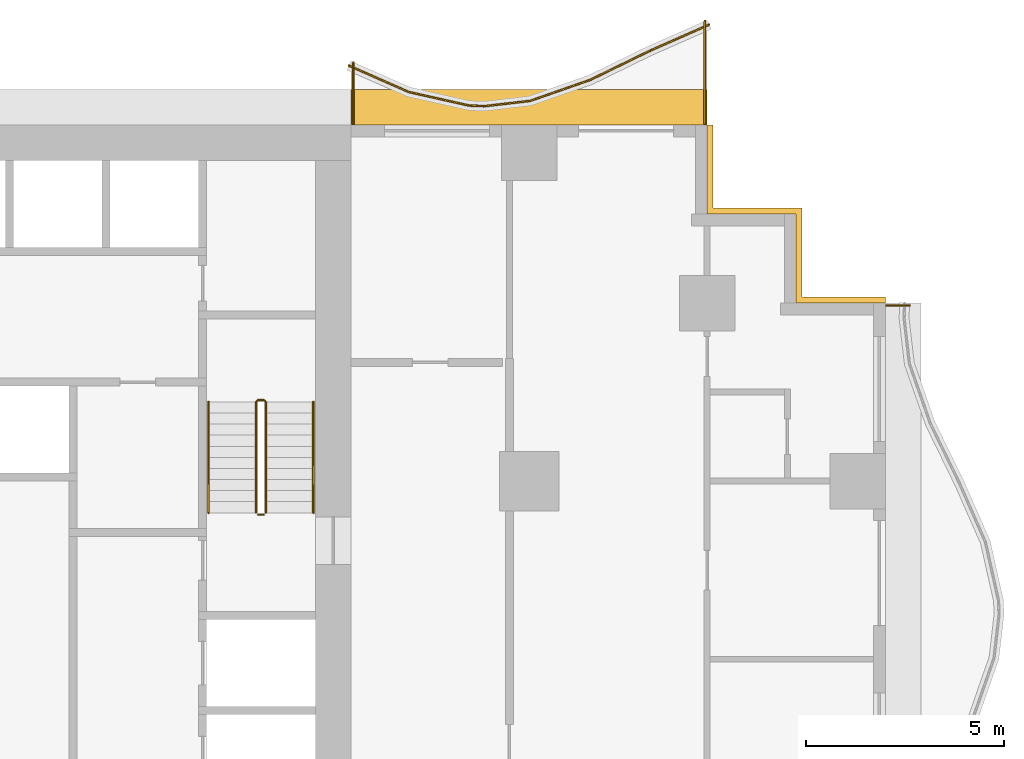
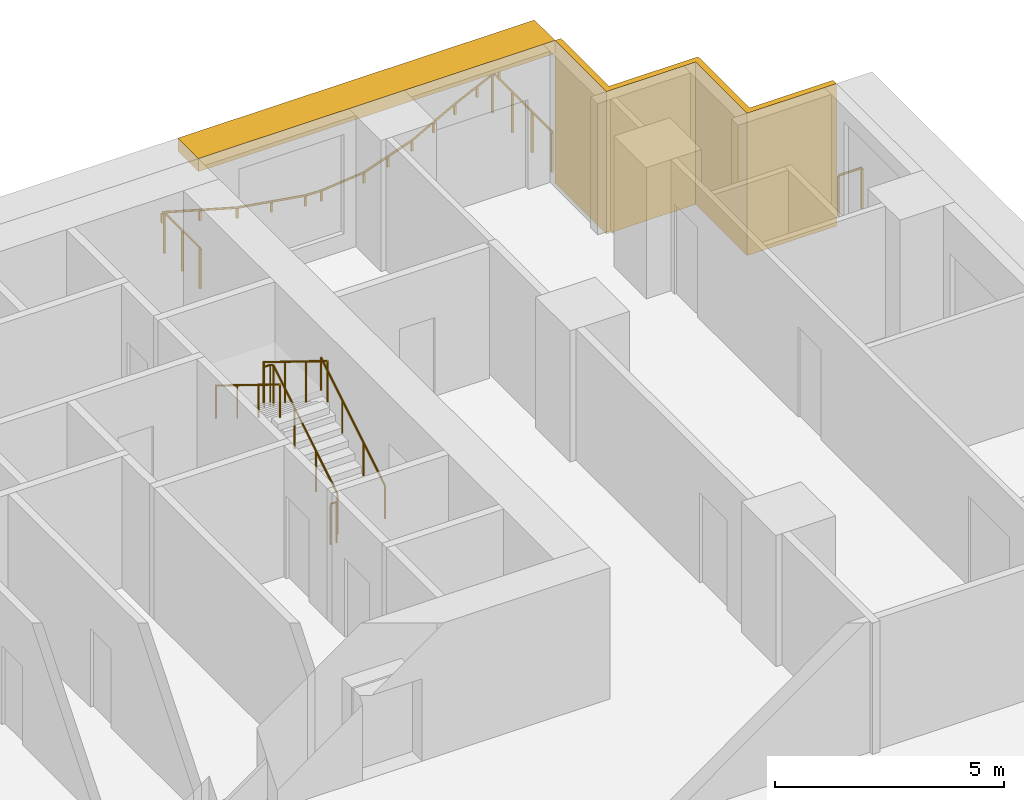
# One storey, part 14 of 14: 8 railings, 2 shading devices.
"""IFC4 building model written with IfcOpenShell, lengths in metres."""

from ifc_helpers import new_model, si_unit, direction, frame, origin, origin_2d, place, context, subcontext, project, spatial, polyline, rectangle, circle, outline, extrude, material, layer, layer_set, type_object, element, save


model = new_model("IFC4")

# Units and contexts
model_context = context("Model", 3, precision=1e-05, world=origin(), true_north=direction((0.0, 1.0)))
body_context = subcontext(model_context, "Body", "Model", "MODEL_VIEW")
ifc_project = project(units=[si_unit("LENGTHUNIT", "METRE"), si_unit("AREAUNIT", "SQUARE_METRE"), si_unit("VOLUMEUNIT", "CUBIC_METRE"), si_unit("PLANEANGLEUNIT", "RADIAN"), si_unit("MASSUNIT", "GRAM", prefix="KILO")], contexts=[model_context])

# Site, building, storey
site_placement = place(None, origin())
site = spatial("IfcSite", under=ifc_project, at=site_placement, CompositionType="ELEMENT")
building_placement = place(site_placement, origin())
building = spatial("IfcBuilding", under=site, at=building_placement, Name="Orbiselva Terraces", CompositionType="ELEMENT")
storey_placement = place(building_placement, frame((0.0, 0.0, 56.8)))
storey = spatial("IfcBuildingStorey", under=building, at=storey_placement, Name="L14", CompositionType="ELEMENT", Elevation=56.8)

# Railings
ifc_material_1 = material(Name="Stainless steel", Category="steel")
railing_type_1 = type_object("IfcRailingType", Name="CORE-GUARD-1100", PredefinedType="GUARDRAIL", material=ifc_material_1)
railing_1_placement = place(storey_placement, frame((11.35, 12.7, 0.172727)))
element("IfcRailing", 1, at=railing_1_placement, inside=storey, type_object=railing_type_1, Name="L14 S2 stair guard 1", PredefinedType="GUARDRAIL", context=body_context, shape_type="SweptSolid", body=[
    extrude(circle(Radius=0.024, at=origin_2d()), frame((0.0, 0.0, 1.081), z_axis=(0.0, 0.851088519012, 0.52502222125), x_axis=(-1.0, 0.0, 0.0)), (0.0, 0.0, 1.0), 3.289905),
    extrude(circle(Radius=0.024, at=origin_2d()), frame((0.0, 2.8, 2.808273), z_axis=(-0.707106781187, 0.707106781187, 0.0), x_axis=(-0.707106781187, -0.707106781187, 0.0)), (0.0, 0.0, 1.0), 0.070711),
    extrude(circle(Radius=0.024, at=origin_2d()), frame((-0.05, 2.85, 2.808273), z_axis=(-1.0, 0.0, 0.0), x_axis=(0.0, -1.0, 0.0)), (0.0, 0.0, 1.0), 0.15),
    extrude(circle(Radius=0.024, at=origin_2d()), frame((-0.2, 2.85, 2.808273), z_axis=(-0.267894925557, -0.267894925557, 0.925453736133), x_axis=(0.707106781187, -0.707106781187, 0.0)), (0.0, 0.0, 1.0), 0.18664),
    extrude(circle(Radius=0.024, at=origin_2d()), frame((-0.25, 2.8, 2.981), z_axis=(0.0, -0.851088519012, 0.52502222125), x_axis=(1.0, 0.0, 0.0)), (0.0, 0.0, 1.0), 3.289905),
    extrude(circle(Radius=0.021, at=origin_2d()), origin(), (0.0, 0.0, 1.0), 1.057),
    extrude(circle(Radius=0.021, at=origin_2d()), frame((0.0, 0.933333, 0.575758)), (0.0, 0.0, 1.0), 1.057),
    extrude(circle(Radius=0.021, at=origin_2d()), frame((0.0, 1.866667, 1.151515)), (0.0, 0.0, 1.0), 1.057),
    extrude(circle(Radius=0.021, at=origin_2d()), frame((0.0, 2.8, 1.727273)), (0.0, 0.0, 1.0), 1.057),
    extrude(circle(Radius=0.021, at=origin_2d()), frame((-0.05, 2.85, 1.727273)), (0.0, 0.0, 1.0), 1.057),
    extrude(circle(Radius=0.021, at=origin_2d()), frame((-0.2, 2.85, 1.727273)), (0.0, 0.0, 1.0), 1.057),
    extrude(circle(Radius=0.021, at=origin_2d()), frame((-0.25, 2.8, 1.9)), (0.0, 0.0, 1.0), 1.057),
    extrude(circle(Radius=0.021, at=origin_2d()), frame((-0.25, 1.866667, 2.475758)), (0.0, 0.0, 1.0), 1.057),
    extrude(circle(Radius=0.021, at=origin_2d()), frame((-0.25, 0.933333, 3.051515)), (0.0, 0.0, 1.0), 1.057),
    extrude(circle(Radius=0.021, at=origin_2d()), frame((-0.25, 0.0, 3.627273)), (0.0, 0.0, 1.0), 1.057),
])
railing_2_placement = place(storey_placement, frame((11.3, 12.65, 0.0)))
element("IfcRailing", 2, at=railing_2_placement, inside=storey, type_object=railing_type_1, Name="L14 S2 stair guard 2", PredefinedType="GUARDRAIL", context=body_context, shape_type="SweptSolid", body=[
    extrude(circle(Radius=0.024, at=origin_2d()), frame((0.0, 0.0, 1.081), z_axis=(-1.0, 0.0, 0.0), x_axis=(0.0, -1.0, 0.0)), (0.0, 0.0, 1.0), 0.15),
    extrude(circle(Radius=0.021, at=origin_2d()), origin(), (0.0, 0.0, 1.0), 1.057),
    extrude(circle(Radius=0.021, at=origin_2d()), frame((-0.15, 0.0, 0.0)), (0.0, 0.0, 1.0), 1.057),
])
railing_type_2 = type_object("IfcRailingType", Name="CORE-HANDRAIL-900", PredefinedType="HANDRAIL", material=ifc_material_1)
railing_3_placement = place(storey_placement, frame((12.55, 12.7, 0.172727)))
element("IfcRailing", 3, at=railing_3_placement, inside=storey, type_object=railing_type_2, Name="L14 S2 stair handrail 1", PredefinedType="HANDRAIL", context=body_context, shape_type="SweptSolid", body=[
    extrude(circle(Radius=0.024, at=origin_2d()), frame((0.0, 0.0, 0.876), z_axis=(0.0, 0.851088519012, 0.52502222125), x_axis=(-1.0, 0.0, 0.0)), (0.0, 0.0, 1.0), 3.289905),
    extrude(circle(Radius=0.021, at=origin_2d()), origin(), (0.0, 0.0, 1.0), 0.852),
    extrude(circle(Radius=0.021, at=origin_2d()), frame((0.0, 0.933333, 0.575758)), (0.0, 0.0, 1.0), 0.852),
    extrude(circle(Radius=0.021, at=origin_2d()), frame((0.0, 1.866667, 1.151515)), (0.0, 0.0, 1.0), 0.852),
    extrude(circle(Radius=0.021, at=origin_2d()), frame((0.0, 2.8, 1.727273)), (0.0, 0.0, 1.0), 0.852),
])
railing_4_placement = place(storey_placement, frame((9.9, 15.5, 2.072727)))
element("IfcRailing", 4, at=railing_4_placement, inside=storey, type_object=railing_type_2, Name="L14 S2 stair handrail 2", PredefinedType="HANDRAIL", context=body_context, shape_type="SweptSolid", body=[
    extrude(circle(Radius=0.024, at=origin_2d()), frame((0.0, 0.0, 0.876), z_axis=(0.0, -0.851088519012, 0.52502222125), x_axis=(1.0, 0.0, 0.0)), (0.0, 0.0, 1.0), 3.289905),
    extrude(circle(Radius=0.021, at=origin_2d()), origin(), (0.0, 0.0, 1.0), 0.852),
    extrude(circle(Radius=0.021, at=origin_2d()), frame((0.0, -0.933333, 0.575758)), (0.0, 0.0, 1.0), 0.852),
    extrude(circle(Radius=0.021, at=origin_2d()), frame((0.0, -1.866667, 1.151515)), (0.0, 0.0, 1.0), 0.852),
    extrude(circle(Radius=0.021, at=origin_2d()), frame((0.0, -2.8, 1.727273)), (0.0, 0.0, 1.0), 0.852),
])
ifc_material_2 = material(Name="Bonded two-ply safety glass balustrade, stainless steel posts", Category="steel")
railing_type_3 = type_object("IfcRailingType", Name="ENV-BALUSTRADE-1200", PredefinedType="BALUSTRADE", material=ifc_material_2)
railing_5_placement = place(storey_placement, frame((22.550394, 25.034136, 0.9)))
element("IfcRailing", 5, at=railing_5_placement, inside=storey, type_object=railing_type_3, Name="Balcony balustrade L14 NE", PredefinedType="BALUSTRADE", context=body_context, shape_type="SweptSolid", body=[
    extrude(outline(polyline([(0.028868, 0.0), (0.014434, 0.025), (-0.014434, 0.025), (-0.028868, 0.0), (-0.014434, -0.025), (0.014434, -0.025), (0.028868, 0.0)])), frame((0.0, 0.0, 0.275), z_axis=(-0.915133498047, -0.403150940408, 0.0), x_axis=(0.403150940408, -0.915133498047, 0.0)), (0.0, 0.0, 1.0), 1.636648),
    extrude(outline(polyline([(0.028868, 0.0), (0.014434, 0.025), (-0.014434, 0.025), (-0.028868, 0.0), (-0.014434, -0.025), (0.014434, -0.025), (0.028868, 0.0)])), frame((-1.497751, -0.659816, 0.275), z_axis=(-0.898578870221, -0.438812048596, 0.0), x_axis=(0.438812048596, -0.898578870221, 0.0)), (0.0, 0.0, 1.0), 1.674225),
    extrude(outline(polyline([(0.028868, 0.0), (0.014434, 0.025), (-0.014434, 0.025), (-0.028868, 0.0), (-0.014434, -0.025), (0.014434, -0.025), (0.028868, 0.0)])), frame((-3.002174, -1.394486, 0.275), z_axis=(-0.943972332783, -0.330024597479, 0.0), x_axis=(0.330024597479, -0.943972332783, 0.0)), (0.0, 0.0, 1.0), 1.610253),
    extrude(outline(polyline([(0.028868, 0.0), (0.014434, 0.025), (-0.014434, 0.025), (-0.028868, 0.0), (-0.014434, -0.025), (0.014434, -0.025), (0.028868, 0.0)])), frame((-4.522208, -1.925909, 0.275), z_axis=(-0.993309551734, -0.115482182324, 0.0), x_axis=(0.115482182324, -0.993309551734, 0.0)), (0.0, 0.0, 1.0), 1.156135),
    extrude(outline(polyline([(0.028868, 0.0), (0.014434, 0.025), (-0.014434, 0.025), (-0.028868, 0.0), (-0.014434, -0.025), (0.014434, -0.025), (0.028868, 0.0)])), frame((-5.670608, -2.059422, 0.275), z_axis=(-0.999224734286, 0.03936915532, 0.0), x_axis=(-0.03936915532, -0.999224734286, 0.0)), (0.0, 0.0, 1.0), 0.396376),
    extrude(outline(polyline([(0.028868, 0.0), (0.014434, 0.025), (-0.014434, 0.025), (-0.028868, 0.0), (-0.014434, -0.025), (0.014434, -0.025), (0.028868, 0.0)])), frame((-6.066677, -2.043817, 0.275), z_axis=(-0.97572137947, 0.219015500924, 0.0), x_axis=(-0.219015500924, -0.97572137947, 0.0)), (0.0, 0.0, 1.0), 1.560867),
    extrude(outline(polyline([(0.028868, 0.0), (0.014434, 0.025), (-0.014434, 0.025), (-0.028868, 0.0), (-0.014434, -0.025), (0.014434, -0.025), (0.028868, 0.0)])), frame((-7.589648, -1.701963, 0.275), z_axis=(-0.915133578754, 0.403150757208, 0.0), x_axis=(-0.403150757208, -0.915133578754, 0.0)), (0.0, 0.0, 1.0), 1.651278),
    extrude(rectangle(XDim=0.05, YDim=0.05, at=origin_2d()), origin(), (0.0, 0.0, 1.0), 0.25),
    extrude(rectangle(XDim=0.05, YDim=0.05, at=origin_2d()), frame((-0.748876, -0.329908, 0.0)), (0.0, 0.0, 1.0), 0.25),
    extrude(rectangle(XDim=0.05, YDim=0.05, at=origin_2d()), frame((-1.497751, -0.659816, 0.0)), (0.0, 0.0, 1.0), 0.25),
    extrude(rectangle(XDim=0.05, YDim=0.05, at=origin_2d()), frame((-2.249963, -1.027151, 0.0)), (0.0, 0.0, 1.0), 0.25),
    extrude(rectangle(XDim=0.05, YDim=0.05, at=origin_2d()), frame((-3.002174, -1.394486, 0.0)), (0.0, 0.0, 1.0), 0.25),
    extrude(rectangle(XDim=0.05, YDim=0.05, at=origin_2d()), frame((-3.762191, -1.660198, 0.0)), (0.0, 0.0, 1.0), 0.25),
    extrude(rectangle(XDim=0.05, YDim=0.05, at=origin_2d()), frame((-4.522208, -1.925909, 0.0)), (0.0, 0.0, 1.0), 0.25),
    extrude(rectangle(XDim=0.05, YDim=0.05, at=origin_2d()), frame((-5.670608, -2.059422, 0.0)), (0.0, 0.0, 1.0), 0.25),
    extrude(rectangle(XDim=0.05, YDim=0.05, at=origin_2d()), frame((-6.066677, -2.043817, 0.0)), (0.0, 0.0, 1.0), 0.25),
    extrude(rectangle(XDim=0.05, YDim=0.05, at=origin_2d()), frame((-6.828163, -1.87289, 0.0)), (0.0, 0.0, 1.0), 0.25),
    extrude(rectangle(XDim=0.05, YDim=0.05, at=origin_2d()), frame((-7.589648, -1.701963, 0.0)), (0.0, 0.0, 1.0), 0.25),
    extrude(rectangle(XDim=0.05, YDim=0.05, at=origin_2d()), frame((-8.345218, -1.369106, 0.0)), (0.0, 0.0, 1.0), 0.25),
    extrude(rectangle(XDim=0.05, YDim=0.05, at=origin_2d()), frame((-9.100788, -1.036249, 0.0)), (0.0, 0.0, 1.0), 0.25),
])
ifc_material_3 = material(Name="Stainless steel rail and posts", Category="steel")
railing_type_4 = type_object("IfcRailingType", Name="ENV-GUARD-1105", PredefinedType="BALUSTRADE", material=ifc_material_3)
railing_6_placement = place(storey_placement, frame((27.610431, 17.94, 0.0)))
element("IfcRailing", 6, at=railing_6_placement, inside=storey, type_object=railing_type_4, Name="Balcony end guard L14 E", PredefinedType="BALUSTRADE", context=body_context, shape_type="SweptSolid", body=[
    extrude(outline(polyline([(0.028868, 0.0), (0.014434, 0.025), (-0.014434, 0.025), (-0.028868, 0.0), (-0.014434, -0.025), (0.014434, -0.025), (0.028868, 0.0)])), frame((0.0, 0.0, 1.08), z_axis=(-1.0, 0.0, 0.0), x_axis=(0.0, -1.0, 0.0)), (0.0, 0.0, 1.0), 0.585431),
    extrude(rectangle(XDim=0.05, YDim=0.05, at=origin_2d()), origin(), (0.0, 0.0, 1.0), 1.055),
    extrude(rectangle(XDim=0.05, YDim=0.05, at=origin_2d()), frame((-0.585431, 0.0, 0.0)), (0.0, 0.0, 1.0), 1.055),
])
railing_7_placement = place(storey_placement, frame((22.44, 25.126937, 0.0)))
element("IfcRailing", 7, at=railing_7_placement, inside=storey, type_object=railing_type_4, Name="Balcony end guard L14 NE", PredefinedType="BALUSTRADE", context=body_context, shape_type="SweptSolid", body=[
    extrude(outline(polyline([(0.028868, 0.0), (0.014434, 0.025), (-0.014434, 0.025), (-0.028868, 0.0), (-0.014434, -0.025), (0.014434, -0.025), (0.028868, 0.0)])), frame((0.0, 0.0, 1.08), z_axis=(0.0, -1.0, 0.0), x_axis=(1.0, 0.0, 0.0)), (0.0, 0.0, 1.0), 2.601937),
    extrude(rectangle(XDim=0.05, YDim=0.05, at=origin_2d()), origin(), (0.0, 0.0, 1.0), 1.055),
    extrude(rectangle(XDim=0.05, YDim=0.05, at=origin_2d()), frame((0.0, -0.867312, 0.0)), (0.0, 0.0, 1.0), 1.055),
    extrude(rectangle(XDim=0.05, YDim=0.05, at=origin_2d()), frame((0.0, -1.734625, 0.0)), (0.0, 0.0, 1.0), 1.055),
    extrude(rectangle(XDim=0.05, YDim=0.05, at=origin_2d()), frame((0.0, -2.601937, 0.0)), (0.0, 0.0, 1.0), 1.055),
])
railing_8_placement = place(storey_placement, frame((13.56, 24.082553, 0.0)))
element("IfcRailing", 8, at=railing_8_placement, inside=storey, type_object=railing_type_4, Name="Balcony end guard L14 NE", PredefinedType="BALUSTRADE", context=body_context, shape_type="SweptSolid", body=[
    extrude(outline(polyline([(0.028868, 0.0), (0.014434, 0.025), (-0.014434, 0.025), (-0.028868, 0.0), (-0.014434, -0.025), (0.014434, -0.025), (0.028868, 0.0)])), frame((0.0, 0.0, 1.08), z_axis=(0.0, -1.0, 0.0), x_axis=(1.0, 0.0, 0.0)), (0.0, 0.0, 1.0), 1.557553),
    extrude(rectangle(XDim=0.05, YDim=0.05, at=origin_2d()), origin(), (0.0, 0.0, 1.0), 1.055),
    extrude(rectangle(XDim=0.05, YDim=0.05, at=origin_2d()), frame((0.0, -0.778777, 0.0)), (0.0, 0.0, 1.0), 1.055),
    extrude(rectangle(XDim=0.05, YDim=0.05, at=origin_2d()), frame((0.0, -1.557553, 0.0)), (0.0, 0.0, 1.0), 1.055),
])

# Shading devices
ifc_material_4 = material(Name="Terracotta louvre screen", Category="masonry")
ifc_layer_1 = layer(ifc_material_4, 0.15)
ifc_layer_set_1 = layer_set([ifc_layer_1], Name="Terracotta louvre screen")
shading_device_type_1 = type_object("IfcShadingDeviceType", Name="ENV-SCREEN-150", PredefinedType="USERDEFINED", material=ifc_layer_set_1)
shading_device_1_placement = place(storey_placement, frame((0.0, 0.0, -0.3)))
element("IfcShadingDevice", 9, at=shading_device_1_placement, inside=storey, type_object=shading_device_type_1, Name="Louvre screen L14 NE", ObjectType="SCREEN", PredefinedType="USERDEFINED", context=body_context, shape_type="SweptSolid", body=[
    extrude(outline(polyline([(27.0, 18.15), (24.9, 18.15), (24.9, 20.4), (22.65, 20.4), (22.65, 22.5), (22.5, 22.5), (22.5, 20.25), (24.75, 20.25), (24.75, 18.0), (27.0, 18.0), (27.0, 18.15)])), origin(), (0.0, 0.0, 1.0), 3.8),
])
ifc_material_5 = material(Name="Terracotta baguette sunshade", Category="masonry")
ifc_layer_2 = layer(ifc_material_5, 0.35)
ifc_layer_set_2 = layer_set([ifc_layer_2], Name="Terracotta baguette sunshade")
shading_device_type_2 = type_object("IfcShadingDeviceType", Name="ENV-SUNSHADE-900x350", PredefinedType="USERDEFINED", material=ifc_layer_set_2)
shading_device_2_placement = place(storey_placement, frame((0.0, 0.0, 3.15)))
element("IfcShadingDevice", 10, at=shading_device_2_placement, inside=storey, type_object=shading_device_type_2, Name="Sunshade band L14 NE", ObjectType="SUNSHADE", PredefinedType="USERDEFINED", context=body_context, shape_type="SweptSolid", body=[
    extrude(outline(polyline([(22.5, 23.4), (13.5, 23.4), (13.5, 22.5), (22.5, 22.5), (22.5, 23.4)])), origin(), (0.0, 0.0, 1.0), 0.35),
])

save(model, "model.ifc")
